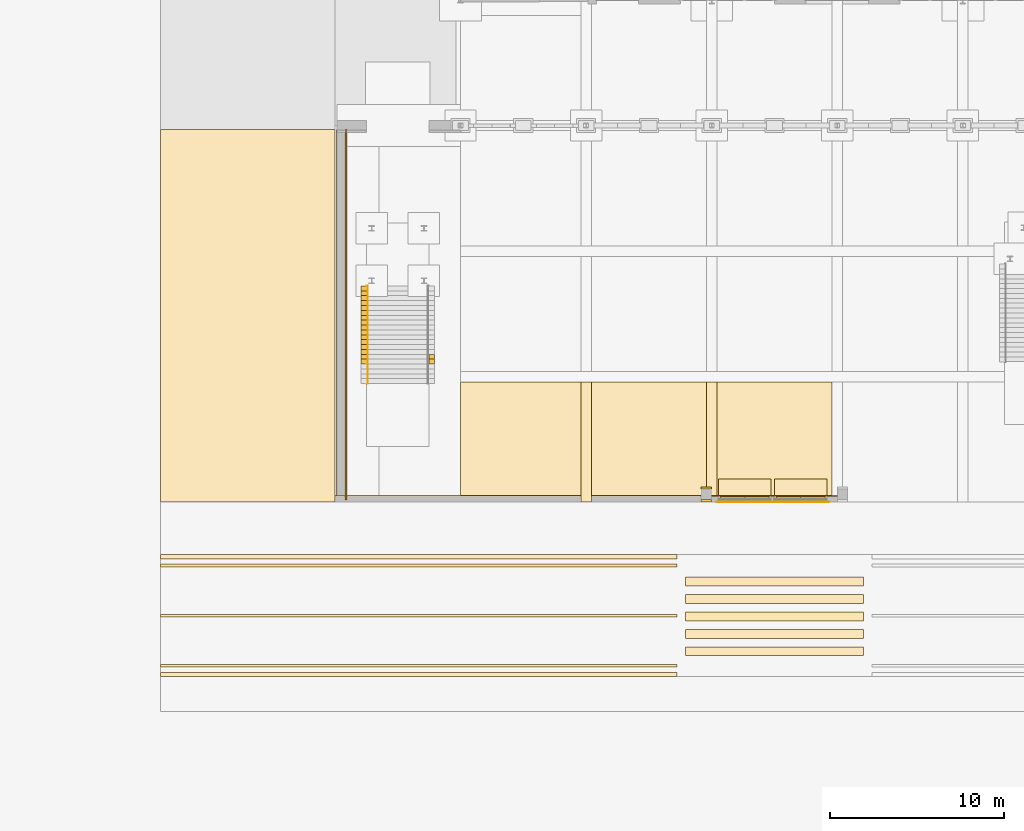
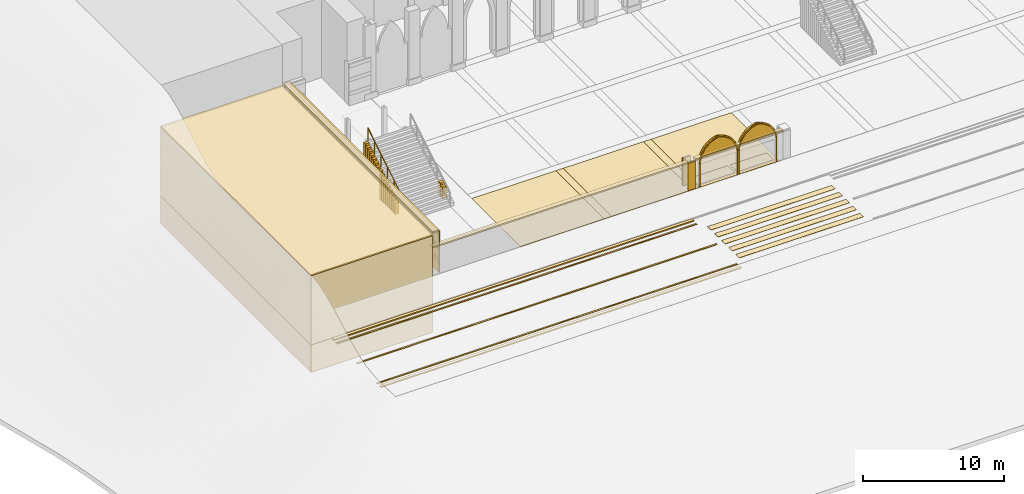
# One storey, part 115 of 148: 54 coverings, 1 railing.
"""IFC4 building model written with IfcOpenShell, lengths in metres."""

import ifcopenshell
import ifcopenshell.guid

model = None  # the IFC model being written
_history = None  # IfcOwnerHistory: only IFC2X3 demands one
_inside = {}  # id of a spatial element -> (the spatial element, [elements in it])
_under = {}  # id of a project, library or spatial element -> (it, [spatial elements below it])
_declared = {}  # id of a project -> (the project, [libraries it declares])
_typed = {}  # id of a type object -> (the type object, [elements of that type])
_made_of = {}  # id of a material, layer set ... -> (it, [elements and type objects made of it])


def new_model(schema):
    """Start an empty IFC model of exactly this schema.

    Asked for "IFC4X3", IfcOpenShell would pick the latest addendum, in which some entities
    have other attributes; the version numbers below select the first issue.
    IFC2X3 requires an IfcOwnerHistory on every rooted entity: one is made here for all.
    """
    global model, _history
    if schema == "IFC4X3":
        model = ifcopenshell.file(schema_version=(4, 3, 0, 0))
    else:
        model = ifcopenshell.file(schema=schema)
    _inside.clear()
    _under.clear()
    _declared.clear()
    _typed.clear()
    _made_of.clear()
    _history = None
    if model.schema == "IFC2X3":
        org = make("IfcOrganization", Name="unknown")
        user = make(
            "IfcPersonAndOrganization",
            ThePerson=make("IfcPerson", FamilyName="unknown"),
            TheOrganization=org,
        )
        app = make(
            "IfcApplication",
            ApplicationDeveloper=org,
            Version="unknown",
            ApplicationFullName="unknown",
            ApplicationIdentifier="unknown",
        )
        _history = make(
            "IfcOwnerHistory",
            OwningUser=user,
            OwningApplication=app,
            ChangeAction="ADDED",
            CreationDate=0,
        )
    return model


def make(cls, **values):
    """One entity of the class cls with the attributes given. An attribute that is None is left unset."""
    return model.create_entity(
        cls, **{name: value for name, value in values.items() if value is not None}
    )


def rooted(cls, **values):
    """An entity with a GlobalId (a new one), such as an element, a storey or a relation."""
    return make(cls, GlobalId=ifcopenshell.guid.new(), OwnerHistory=_history, **values)


def si_unit(unit_type, name, prefix=None):
    """IfcSIUnit, for example si_unit("LENGTHUNIT", "METRE", prefix="MILLI")."""
    return make("IfcSIUnit", UnitType=unit_type, Prefix=prefix, Name=name)


def assignment(units):
    """IfcUnitAssignment: the units of a project."""
    return None if units is None else make("IfcUnitAssignment", Units=units)


def point(xyz):
    """IfcCartesianPoint."""
    return None if xyz is None else make("IfcCartesianPoint", Coordinates=xyz)


def direction(xyz):
    """IfcDirection."""
    return None if xyz is None else make("IfcDirection", DirectionRatios=xyz)


def frame(location, z_axis=None, x_axis=None):
    """IfcAxis2Placement3D, a coordinate frame: its origin and axes. An axis left out is left unset."""
    return make(
        "IfcAxis2Placement3D",
        Location=point(location),
        Axis=direction(z_axis),
        RefDirection=direction(x_axis),
    )


def frame_2d(location, x_axis=None):
    """IfcAxis2Placement2D, a coordinate frame in the plane: its origin and x axis."""
    return make(
        "IfcAxis2Placement2D", Location=point(location), RefDirection=direction(x_axis)
    )


def origin():
    """The frame at (0, 0, 0) with its axes left unset."""
    return frame((0.0, 0.0, 0.0))


def origin_2d():
    """The frame at (0, 0) in the plane with its x axis left unset."""
    return frame_2d((0.0, 0.0))


def place(relative_to, where):
    """IfcLocalPlacement: puts the frame where relative to a parent placement (None: the world)."""
    return make(
        "IfcLocalPlacement", PlacementRelTo=relative_to, RelativePlacement=where
    )


def context(
    kind, dimensions, precision=None, world=None, true_north=None, identifier=None
):
    """IfcGeometricRepresentationContext, for example the 3D "Model" context."""
    return make(
        "IfcGeometricRepresentationContext",
        ContextIdentifier=identifier,
        ContextType=kind,
        CoordinateSpaceDimension=dimensions,
        Precision=precision,
        WorldCoordinateSystem=world,
        TrueNorth=true_north,
    )


def subcontext(parent, identifier, kind, view, scale=None):
    """IfcGeometricRepresentationSubContext, for example "Body" below "Model"."""
    return make(
        "IfcGeometricRepresentationSubContext",
        ContextIdentifier=identifier,
        ContextType=kind,
        ParentContext=parent,
        TargetScale=scale,
        TargetView=view,
    )


def project(units=None, contexts=None):
    """IfcProject with its units and contexts."""
    return rooted(
        "IfcProject",
        Name="project",
        RepresentationContexts=contexts,
        UnitsInContext=assignment(units),
    )


def spatial(cls, under=None, at=None, **own):
    """A site, building, storey or space (cls), placed at a placement, below another one or the project."""
    s = rooted(cls, ObjectPlacement=at, **own)
    if under is not None:
        _under.setdefault(under.id(), (under, []))[1].append(s)
    return s


def polyline(points):
    """IfcPolyline through the points."""
    return make("IfcPolyline", Points=[point(p) for p in points])


def profile(cls, at=None, kind="AREA", **sizes):
    """A parametric profile (cls). Its sizes go by their IFC names, for example OverallWidth=200.0."""
    return make(cls, ProfileType=kind, Position=at, **sizes)


def rectangle(**sizes):
    """IfcRectangleProfileDef."""
    return profile("IfcRectangleProfileDef", **sizes)


def circle(**sizes):
    """IfcCircleProfileDef."""
    return profile("IfcCircleProfileDef", **sizes)


def outline(outer, holes=None, kind="AREA"):
    """IfcArbitraryClosedProfileDef: a profile drawn as a closed curve; with holes, ...WithVoids."""
    if holes is None:
        return make("IfcArbitraryClosedProfileDef", ProfileType=kind, OuterCurve=outer)
    return make(
        "IfcArbitraryProfileDefWithVoids",
        ProfileType=kind,
        OuterCurve=outer,
        InnerCurves=holes,
    )


def extrude(swept, where, along, depth):
    """IfcExtrudedAreaSolid: the profile swept, set in the frame where, extruded along a direction by depth."""
    return make(
        "IfcExtrudedAreaSolid",
        SweptArea=swept,
        Position=where,
        ExtrudedDirection=direction(along),
        Depth=depth,
    )


def shape(context_of_items, identifier, shape_type, items):
    """IfcShapeRepresentation: the items that make up one representation, for example the "Body"."""
    return make(
        "IfcShapeRepresentation",
        ContextOfItems=context_of_items,
        RepresentationIdentifier=identifier,
        RepresentationType=shape_type,
        Items=items,
    )


def material(Name=None, Category=None):
    """IfcMaterial."""
    return make("IfcMaterial", Name=Name, Category=Category)


def layer(
    of_material, thickness, ventilated=None, Name=None, Category=None, Priority=None
):
    """IfcMaterialLayer: one layer of a wall or slab, of a material (None: an air gap)."""
    return make(
        "IfcMaterialLayer",
        Material=of_material,
        LayerThickness=thickness,
        IsVentilated=ventilated,
        Name=Name,
        Category=Category,
        Priority=Priority,
    )


def layer_set(layers, Name=None):
    """IfcMaterialLayerSet."""
    return make("IfcMaterialLayerSet", MaterialLayers=layers, LayerSetName=Name)


def made_of(thing, what):
    """Note that an element or type object is made of a material, layer set ...; save() writes the relation."""
    if what is not None:
        _made_of.setdefault(what.id(), (what, []))[1].append(thing)
    return thing


def type_object(cls, material=None, **own):
    """A type object (cls), such as IfcWallType, which elements share."""
    return made_of(rooted(cls, **own), material)


def element(
    cls,
    number,
    at=None,
    inside=None,
    cuts=None,
    type_object=None,
    material=None,
    context=None,
    identifier="Body",
    shape_type=None,
    held_by="IfcProductDefinitionShape",
    body=None,
    shapes=None,
    **own,
):
    """One element of the class cls, such as IfcWall. Its Tag is "e" and its number.

    at: its placement. inside: the storey or other place that contains it. cuts: it is an
    opening in that element (IfcRelVoidsElement). A single representation is given by context,
    identifier, shape_type and body (its items); several are given by shapes. held_by: the class
    of the entity that holds the representations. save() writes the other relations.
    """
    e = rooted(cls, Tag="e%d" % number, ObjectPlacement=at, **own)
    if body is not None:
        shapes = [shape(context, identifier, shape_type, body)]
    if shapes is not None:
        e.Representation = make(held_by, Representations=shapes)
    if inside is not None:
        _inside.setdefault(inside.id(), (inside, []))[1].append(e)
    if cuts is not None:
        rooted(
            "IfcRelVoidsElement", RelatingBuildingElement=cuts, RelatedOpeningElement=e
        )
    if type_object is not None:
        _typed.setdefault(type_object.id(), (type_object, []))[1].append(e)
    return made_of(e, material)


def aggregate(whole, parts):
    """IfcRelAggregates: a whole, such as a stair, and the parts it consists of."""
    return rooted("IfcRelAggregates", RelatingObject=whole, RelatedObjects=parts)


def save(model, path):
    """Write the relations noted so far, then the file.

    IfcRelAggregates (storeys below a building ...), IfcRelContainedInSpatialStructure (elements
    in a storey), IfcRelDefinesByType, IfcRelAssociatesMaterial and IfcRelDeclares: one each for
    every whole, place, type object, material and project.
    """
    for whole, parts in _under.values():
        aggregate(whole, parts)
    for where, things in _inside.values():
        rooted(
            "IfcRelContainedInSpatialStructure",
            RelatedElements=things,
            RelatingStructure=where,
        )
    for kind, things in _typed.values():
        rooted("IfcRelDefinesByType", RelatedObjects=things, RelatingType=kind)
    for what, things in _made_of.values():
        rooted("IfcRelAssociatesMaterial", RelatedObjects=things, RelatingMaterial=what)
    for by, libraries in _declared.values():
        rooted("IfcRelDeclares", RelatingContext=by, RelatedDefinitions=libraries)
    model.write(path)


model = new_model("IFC4")

# Units and contexts
model_context = context("Model", 3, precision=1e-05, world=origin(), true_north=direction((0.0, 1.0)))
body_context = subcontext(model_context, "Body", "Model", "MODEL_VIEW")
ifc_project = project(units=[si_unit("LENGTHUNIT", "METRE"), si_unit("AREAUNIT", "SQUARE_METRE"), si_unit("VOLUMEUNIT", "CUBIC_METRE"), si_unit("PLANEANGLEUNIT", "RADIAN"), si_unit("MASSUNIT", "GRAM", prefix="KILO")], contexts=[model_context])

# Site, building, storey
site_placement = place(None, origin())
site = spatial("IfcSite", under=ifc_project, at=site_placement, CompositionType="ELEMENT")
building_placement = place(site_placement, origin())
building = spatial("IfcBuilding", under=site, at=building_placement, Name="Kupolbacken Congress Centre", CompositionType="ELEMENT")
storey_placement = place(building_placement, origin())
storey = spatial("IfcBuildingStorey", under=building, at=storey_placement, Name="L00", CompositionType="ELEMENT", Elevation=0.0)

# Coverings
ifc_material_1 = material(Name="Limestone cladding", Category="masonry")
ifc_layer_1 = layer(ifc_material_1, 0.1201171875)
ifc_layer_set_1 = layer_set([ifc_layer_1], Name="Limestone cladding")
covering_type_1 = type_object("IfcCoveringType", Name="CV1 limestone cladding band 120", PredefinedType="CLADDING", material=ifc_layer_set_1)
covering_1_placement = place(storey_placement, origin())
element("IfcCovering", 1, at=covering_1_placement, inside=storey, type_object=covering_type_1, Name="Gate pier limestone facing", PredefinedType="CLADDING", context=body_context, shape_type="SweptSolid", body=[
    extrude(outline(polyline([(21.0, 0.02490234375), (21.0, 0.14501953125), (21.60009765625, 0.14501953125), (21.60009765625, 0.02490234375), (21.0, 0.02490234375)])), origin(), (0.0, 0.0, 1.0), 2.39990234375),
])
covering_2_placement = place(storey_placement, origin())
element("IfcCovering", 2, at=covering_2_placement, inside=storey, type_object=covering_type_1, Name="Gate pier limestone facing", PredefinedType="CLADDING", context=body_context, shape_type="SweptSolid", body=[
    extrude(outline(polyline([(21.0, 0.7451171875), (21.0, 0.864990234375), (21.60009765625, 0.864990234375), (21.60009765625, 0.7451171875), (21.0, 0.7451171875)])), origin(), (0.0, 0.0, 1.0), 2.39990234375),
])
covering_3_placement = place(storey_placement, frame((0.0, 0.0, 3.60009765625)))
element("IfcCovering", 3, at=covering_3_placement, inside=storey, type_object=covering_type_1, Name="Limestone coping on retaining wall", PredefinedType="CLADDING", context=body_context, shape_type="SweptSolid", body=[
    extrude(outline(polyline([(0.6298828125, 0.1298828125), (0.080078125, 0.1298828125), (0.080078125, 21.375), (0.6298828125, 21.375), (0.6298828125, 0.1298828125)])), origin(), (0.0, 0.0, 1.0), 0.119873046875),
])
covering_4_placement = place(storey_placement, frame((0.0, 0.0, 2.39990234375)))
element("IfcCovering", 4, at=covering_4_placement, inside=storey, type_object=covering_type_1, Name="Limestone coping on boundary wall", PredefinedType="CLADDING", context=body_context, shape_type="SweptSolid", body=[
    extrude(outline(polyline([(0.0009765625, 0.375), (21.0, 0.375), (21.0, 0.0009765625), (0.0009765625, 0.0009765625), (0.0009765625, 0.375)])), origin(), (0.0, 0.0, 1.0), 0.1201171875),
])
covering_5_placement = place(storey_placement, frame((0.0, 0.0, 2.39990234375)))
element("IfcCovering", 5, at=covering_5_placement, inside=storey, type_object=covering_type_1, Name="Limestone coping on boundary wall", PredefinedType="CLADDING", context=body_context, shape_type="SweptSolid", body=[
    extrude(outline(polyline([(21.60009765625, 0.375), (28.800048828125, 0.375), (28.800048828125, 0.0009765625), (21.60009765625, 0.0009765625), (21.60009765625, 0.375)])), origin(), (0.0, 0.0, 1.0), 0.1201171875),
])
covering_6_placement = place(storey_placement, frame((0.0, 0.0, 0.89990234375)))
element("IfcCovering", 6, at=covering_6_placement, inside=storey, type_object=covering_type_1, Name="Retaining wall facing, limestone course", PredefinedType="CLADDING", context=body_context, shape_type="SweptSolid", body=[
    extrude(outline(polyline([(0.699951171875, 0.1298828125), (0.580078125, 0.1298828125), (0.580078125, 21.375), (0.699951171875, 21.375), (0.699951171875, 0.1298828125)])), origin(), (0.0, 0.0, 1.0), 0.300048828125),
])
covering_7_placement = place(storey_placement, frame((0.0, 0.0, 2.10009765625)))
element("IfcCovering", 7, at=covering_7_placement, inside=storey, type_object=covering_type_1, Name="Retaining wall facing, limestone course", PredefinedType="CLADDING", context=body_context, shape_type="SweptSolid", body=[
    extrude(outline(polyline([(0.699951171875, 0.1298828125), (0.580078125, 0.1298828125), (0.580078125, 21.375), (0.699951171875, 21.375), (0.699951171875, 0.1298828125)])), origin(), (0.0, 0.0, 1.0), 0.2998046875),
])
covering_8_placement = place(storey_placement, frame((0.0, 0.0, 3.300048828125)))
element("IfcCovering", 8, at=covering_8_placement, inside=storey, type_object=covering_type_1, Name="Retaining wall facing, limestone course", PredefinedType="CLADDING", context=body_context, shape_type="SweptSolid", body=[
    extrude(outline(polyline([(0.699951171875, 0.1298828125), (0.580078125, 0.1298828125), (0.580078125, 21.375), (0.699951171875, 21.375), (0.699951171875, 0.1298828125)])), origin(), (0.0, 0.0, 1.0), 0.300048828125),
])
covering_9_placement = place(storey_placement, origin())
element("IfcCovering", 9, at=covering_9_placement, inside=storey, type_object=covering_type_1, Name="Stair cheek wall", PredefinedType="CLADDING", context=body_context, shape_type="SweptSolid", body=[
    extrude(outline(polyline([(5.39990234375, 7.919921875), (5.39990234375, 8.199951171875), (5.699951171875, 8.199951171875), (5.699951171875, 7.919921875), (5.39990234375, 7.919921875)])), origin(), (0.0, 0.0, 1.0), 1.007080078125),
])
covering_10_placement = place(storey_placement, origin())
element("IfcCovering", 10, at=covering_10_placement, inside=storey, type_object=covering_type_1, Name="Stair cheek wall", PredefinedType="CLADDING", context=body_context, shape_type="SweptSolid", body=[
    extrude(outline(polyline([(5.39990234375, 8.199951171875), (5.39990234375, 8.47998046875), (5.699951171875, 8.47998046875), (5.699951171875, 8.199951171875), (5.39990234375, 8.199951171875)])), origin(), (0.0, 0.0, 1.0), 1.178466796875),
])
covering_11_placement = place(storey_placement, origin())
element("IfcCovering", 11, at=covering_11_placement, inside=storey, type_object=covering_type_1, Name="Stair cheek wall", PredefinedType="CLADDING", context=body_context, shape_type="SweptSolid", body=[
    extrude(outline(polyline([(1.800048828125, 7.919921875), (1.800048828125, 8.199951171875), (1.5, 8.199951171875), (1.5, 7.919921875), (1.800048828125, 7.919921875)])), origin(), (0.0, 0.0, 1.0), 1.007080078125),
])
covering_12_placement = place(storey_placement, origin())
element("IfcCovering", 12, at=covering_12_placement, inside=storey, type_object=covering_type_1, Name="Stair cheek wall", PredefinedType="CLADDING", context=body_context, shape_type="SweptSolid", body=[
    extrude(outline(polyline([(1.800048828125, 8.199951171875), (1.800048828125, 8.47998046875), (1.5, 8.47998046875), (1.5, 8.199951171875), (1.800048828125, 8.199951171875)])), origin(), (0.0, 0.0, 1.0), 1.178466796875),
])
covering_13_placement = place(storey_placement, origin())
element("IfcCovering", 13, at=covering_13_placement, inside=storey, type_object=covering_type_1, Name="Stair cheek wall", PredefinedType="CLADDING", context=body_context, shape_type="SweptSolid", body=[
    extrude(outline(polyline([(1.800048828125, 8.47998046875), (1.800048828125, 8.760009765625), (1.5, 8.760009765625), (1.5, 8.47998046875), (1.800048828125, 8.47998046875)])), origin(), (0.0, 0.0, 1.0), 1.349853515625),
])
covering_14_placement = place(storey_placement, origin())
element("IfcCovering", 14, at=covering_14_placement, inside=storey, type_object=covering_type_1, Name="Stair cheek wall", PredefinedType="CLADDING", context=body_context, shape_type="SweptSolid", body=[
    extrude(outline(polyline([(1.800048828125, 8.760009765625), (1.800048828125, 9.0400390625), (1.5, 9.0400390625), (1.5, 8.760009765625), (1.800048828125, 8.760009765625)])), origin(), (0.0, 0.0, 1.0), 1.521240234375),
])
covering_15_placement = place(storey_placement, origin())
element("IfcCovering", 15, at=covering_15_placement, inside=storey, type_object=covering_type_1, Name="Stair cheek wall", PredefinedType="CLADDING", context=body_context, shape_type="SweptSolid", body=[
    extrude(outline(polyline([(1.800048828125, 9.0400390625), (1.800048828125, 9.320068359375), (1.5, 9.320068359375), (1.5, 9.0400390625), (1.800048828125, 9.0400390625)])), origin(), (0.0, 0.0, 1.0), 1.692626953125),
])
covering_16_placement = place(storey_placement, origin())
element("IfcCovering", 16, at=covering_16_placement, inside=storey, type_object=covering_type_1, Name="Stair cheek wall", PredefinedType="CLADDING", context=body_context, shape_type="SweptSolid", body=[
    extrude(outline(polyline([(1.800048828125, 9.320068359375), (1.800048828125, 9.60009765625), (1.5, 9.60009765625), (1.5, 9.320068359375), (1.800048828125, 9.320068359375)])), origin(), (0.0, 0.0, 1.0), 1.864013671875),
])
covering_17_placement = place(storey_placement, origin())
element("IfcCovering", 17, at=covering_17_placement, inside=storey, type_object=covering_type_1, Name="Stair cheek wall", PredefinedType="CLADDING", context=body_context, shape_type="SweptSolid", body=[
    extrude(outline(polyline([(1.800048828125, 9.60009765625), (1.800048828125, 9.8798828125), (1.5, 9.8798828125), (1.5, 9.60009765625), (1.800048828125, 9.60009765625)])), origin(), (0.0, 0.0, 1.0), 2.035400390625),
])
covering_18_placement = place(storey_placement, origin())
element("IfcCovering", 18, at=covering_18_placement, inside=storey, type_object=covering_type_1, Name="Stair cheek wall", PredefinedType="CLADDING", context=body_context, shape_type="SweptSolid", body=[
    extrude(outline(polyline([(1.800048828125, 9.8798828125), (1.800048828125, 10.159912109375), (1.5, 10.159912109375), (1.5, 9.8798828125), (1.800048828125, 9.8798828125)])), origin(), (0.0, 0.0, 1.0), 2.206787109375),
])
covering_19_placement = place(storey_placement, origin())
element("IfcCovering", 19, at=covering_19_placement, inside=storey, type_object=covering_type_1, Name="Stair cheek wall", PredefinedType="CLADDING", context=body_context, shape_type="SweptSolid", body=[
    extrude(outline(polyline([(1.800048828125, 10.159912109375), (1.800048828125, 10.43994140625), (1.5, 10.43994140625), (1.5, 10.159912109375), (1.800048828125, 10.159912109375)])), origin(), (0.0, 0.0, 1.0), 2.378173828125),
])
covering_20_placement = place(storey_placement, origin())
element("IfcCovering", 20, at=covering_20_placement, inside=storey, type_object=covering_type_1, Name="Stair cheek wall", PredefinedType="CLADDING", context=body_context, shape_type="SweptSolid", body=[
    extrude(outline(polyline([(1.800048828125, 10.43994140625), (1.800048828125, 10.719970703125), (1.5, 10.719970703125), (1.5, 10.43994140625), (1.800048828125, 10.43994140625)])), origin(), (0.0, 0.0, 1.0), 2.549560546875),
])
covering_21_placement = place(storey_placement, origin())
element("IfcCovering", 21, at=covering_21_placement, inside=storey, type_object=covering_type_1, Name="Stair cheek wall", PredefinedType="CLADDING", context=body_context, shape_type="SweptSolid", body=[
    extrude(outline(polyline([(1.800048828125, 10.719970703125), (1.800048828125, 11.0), (1.5, 11.0), (1.5, 10.719970703125), (1.800048828125, 10.719970703125)])), origin(), (0.0, 0.0, 1.0), 2.720947265625),
])
covering_22_placement = place(storey_placement, origin())
element("IfcCovering", 22, at=covering_22_placement, inside=storey, type_object=covering_type_1, Name="Stair cheek wall", PredefinedType="CLADDING", context=body_context, shape_type="SweptSolid", body=[
    extrude(outline(polyline([(1.800048828125, 11.0), (1.800048828125, 11.280029296875), (1.5, 11.280029296875), (1.5, 11.0), (1.800048828125, 11.0)])), origin(), (0.0, 0.0, 1.0), 2.892333984375),
])
covering_23_placement = place(storey_placement, origin())
element("IfcCovering", 23, at=covering_23_placement, inside=storey, type_object=covering_type_1, Name="Stair cheek wall", PredefinedType="CLADDING", context=body_context, shape_type="SweptSolid", body=[
    extrude(outline(polyline([(1.800048828125, 11.280029296875), (1.800048828125, 11.56005859375), (1.5, 11.56005859375), (1.5, 11.280029296875), (1.800048828125, 11.280029296875)])), origin(), (0.0, 0.0, 1.0), 3.063720703125),
])
covering_24_placement = place(storey_placement, origin())
element("IfcCovering", 24, at=covering_24_placement, inside=storey, type_object=covering_type_1, Name="Stair cheek wall", PredefinedType="CLADDING", context=body_context, shape_type="SweptSolid", body=[
    extrude(outline(polyline([(1.800048828125, 11.56005859375), (1.800048828125, 11.840087890625), (1.5, 11.840087890625), (1.5, 11.56005859375), (1.800048828125, 11.56005859375)])), origin(), (0.0, 0.0, 1.0), 3.235107421875),
])
covering_25_placement = place(storey_placement, origin())
element("IfcCovering", 25, at=covering_25_placement, inside=storey, type_object=covering_type_1, Name="Stair cheek wall", PredefinedType="CLADDING", context=body_context, shape_type="SweptSolid", body=[
    extrude(outline(polyline([(1.800048828125, 11.840087890625), (1.800048828125, 12.1201171875), (1.5, 12.1201171875), (1.5, 11.840087890625), (1.800048828125, 11.840087890625)])), origin(), (0.0, 0.0, 1.0), 3.406494140625),
])
covering_26_placement = place(storey_placement, origin())
element("IfcCovering", 26, at=covering_26_placement, inside=storey, type_object=covering_type_1, Name="Stair cheek wall", PredefinedType="CLADDING", context=body_context, shape_type="SweptSolid", body=[
    extrude(outline(polyline([(1.800048828125, 12.1201171875), (1.800048828125, 12.39990234375), (1.5, 12.39990234375), (1.5, 12.1201171875), (1.800048828125, 12.1201171875)])), origin(), (0.0, 0.0, 1.0), 3.577880859375),
])
covering_27_placement = place(storey_placement, frame((25.199951171875, 0.175048828125, 2.39990234375), z_axis=(0.0, 0.0, 1.0), x_axis=(1.0, 0.0, 0.0)))
element("IfcCovering", 27, at=covering_27_placement, inside=storey, type_object=covering_type_1, Name="E/portal/CV1/cap", PredefinedType="CLADDING", context=body_context, shape_type="SweptSolid", body=[
    extrude(rectangle(XDim=7.199951171875, YDim=0.340087890625, at=origin_2d()), origin(), (0.0, 0.0, 1.0), 0.199951171875),
])
ifc_material_2 = material(Name="Brick cladding", Category="masonry")
ifc_layer_2 = layer(ifc_material_2, 0.10791015625)
ifc_layer_set_2 = layer_set([ifc_layer_2], Name="Brick cladding")
covering_type_2 = type_object("IfcCoveringType", Name="CV2 brick cladding band 108", PredefinedType="CLADDING", material=ifc_layer_set_2)
covering_28_placement = place(storey_placement, origin())
element("IfcCovering", 28, at=covering_28_placement, inside=storey, type_object=covering_type_2, Name="Retaining wall facing, brick course", PredefinedType="CLADDING", context=body_context, shape_type="SweptSolid", body=[
    extrude(outline(polyline([(0.68798828125, 0.1298828125), (0.580078125, 0.1298828125), (0.580078125, 21.375), (0.68798828125, 21.375), (0.68798828125, 0.1298828125)])), origin(), (0.0, 0.0, 1.0), 0.89990234375),
])
for number, where, name in (
    (29, (0.0, 0.0, 1.199951171875), "Retaining wall facing, brick course"),
    (30, (0.0, 0.0, 2.39990234375), "Retaining wall facing, brick course"),
):
    element("IfcCovering", number, at=place(storey_placement, frame(where)), inside=storey, type_object=covering_type_2, Name=name, PredefinedType="CLADDING", context=body_context, shape_type="SweptSolid", body=[
        extrude(outline(polyline([(0.68798828125, 0.1298828125), (0.580078125, 0.1298828125), (0.580078125, 21.375), (0.68798828125, 21.375), (0.68798828125, 0.1298828125)])), origin(), (0.0, 0.0, 1.0), 0.900146484375),
    ])
for number, where, z_axis, x_axis, name in (
    (31, (22.0, 0.324951171875, 0.0), (0.0, -1.0, 0.0), (1.0, 0.0, 0.0), "E/portal/CV1/tympanum1"),
    (32, (25.199951171875, 0.324951171875, 0.0), (0.0, -1.0, 0.0), (1.0, 0.0, 0.0), "E/portal/CV1/tympanum2"),
):
    element("IfcCovering", number, at=place(storey_placement, frame(where, z_axis=z_axis, x_axis=x_axis)), inside=storey, type_object=covering_type_2, Name=name, PredefinedType="CLADDING", context=body_context, shape_type="SweptSolid", body=[
        extrude(outline(polyline([(0.142333984375, 2.70849609375), (0.220703125, 2.872314453125), (0.314697265625, 3.02783203125), (0.424072265625, 3.173095703125), (0.547119140625, 3.306884765625), (0.6826171875, 3.427978515625), (0.82958984375, 3.534912109375), (0.986328125, 3.626953125), (1.1513671875, 3.702880859375), (1.3232421875, 3.76220703125), (1.5, 3.80419921875), (1.6767578125, 3.76220703125), (1.8486328125, 3.702880859375), (2.013671875, 3.626953125), (2.17041015625, 3.534912109375), (2.3173828125, 3.427978515625), (2.452880859375, 3.306884765625), (2.575927734375, 3.173095703125), (2.685302734375, 3.02783203125), (2.779296875, 2.872314453125), (2.857666015625, 2.70849609375), (2.89697265625, 2.60009765625), (0.10302734375, 2.60009765625), (0.142333984375, 2.70849609375)])), origin(), (0.0, 0.0, 1.0), 0.300048828125),
    ])
ifc_material_3 = material(Name="Limestone cladding", Category="masonry")
ifc_layer_3 = layer(ifc_material_3, 0.14990234375)
ifc_layer_set_3 = layer_set([ifc_layer_3], Name="Limestone cladding")
covering_type_3 = type_object("IfcCoveringType", Name="CV4 limestone blind arch frame 150", PredefinedType="CLADDING", material=ifc_layer_set_3)
covering_29_placement = place(storey_placement, frame((21.89990234375, 0.02490234375, 0.0), z_axis=(0.0, -1.0, 0.0), x_axis=(1.0, 0.0, 0.0)))
element("IfcCovering", 33, at=covering_29_placement, inside=storey, type_object=covering_type_3, Name="E/portal/CV1/arch1", PredefinedType="CLADDING", context=body_context, shape_type="SweptSolid", body=[
    extrude(outline(polyline([(0.0, 0.0), (0.0, 2.0), (0.009521484375, 2.196533203125), (0.0380859375, 2.39111328125), (0.085205078125, 2.582275390625), (0.15087890625, 2.767578125), (0.23388671875, 2.946044921875), (0.333984375, 3.115478515625), (0.44970703125, 3.2744140625), (0.58056640625, 3.42138671875), (0.72509765625, 3.554931640625), (0.881591796875, 3.674072265625), (1.049072265625, 3.77734375), (1.225830078125, 3.864013671875), (1.409912109375, 3.93310546875), (1.60009765625, 3.98388671875), (1.7900390625, 3.93310546875), (1.97412109375, 3.864013671875), (2.15087890625, 3.77734375), (2.318359375, 3.674072265625), (2.47509765625, 3.554931640625), (2.619384765625, 3.42138671875), (2.750244140625, 3.2744140625), (2.8662109375, 3.115478515625), (2.966064453125, 2.946044921875), (3.04931640625, 2.767578125), (3.11474609375, 2.582275390625), (3.162109375, 2.39111328125), (3.1904296875, 2.196533203125), (3.199951171875, 2.0), (3.199951171875, 0.0), (3.10009765625, 0.0), (3.10009765625, 2.0), (3.091064453125, 2.185302734375), (3.064453125, 2.368896484375), (3.020263671875, 2.549072265625), (2.958984375, 2.72412109375), (2.881103515625, 2.892578125), (2.78759765625, 3.052734375), (2.67919921875, 3.203125), (2.556640625, 3.342529296875), (2.42138671875, 3.469482421875), (2.2744140625, 3.582763671875), (2.117431640625, 3.681396484375), (1.95166015625, 3.7646484375), (1.778564453125, 3.83154296875), (1.60009765625, 3.881591796875), (1.42138671875, 3.83154296875), (1.248291015625, 3.7646484375), (1.08251953125, 3.681396484375), (0.925537109375, 3.582763671875), (0.778564453125, 3.469482421875), (0.643310546875, 3.342529296875), (0.52099609375, 3.203125), (0.412353515625, 3.052734375), (0.31884765625, 2.892578125), (0.240966796875, 2.72412109375), (0.1796875, 2.549072265625), (0.135498046875, 2.368896484375), (0.10888671875, 2.185302734375), (0.10009765625, 2.0), (0.10009765625, 0.0), (0.0, 0.0)])), origin(), (0.0, 0.0, 1.0), 0.02001953125),
])
covering_30_placement = place(storey_placement, frame((25.10009765625, 0.02490234375, 0.0), z_axis=(0.0, -1.0, 0.0), x_axis=(1.0, 0.0, 0.0)))
element("IfcCovering", 34, at=covering_30_placement, inside=storey, type_object=covering_type_3, Name="E/portal/CV1/arch2", PredefinedType="CLADDING", context=body_context, shape_type="SweptSolid", body=[
    extrude(outline(polyline([(0.0, 0.0), (0.0, 2.0), (0.009521484375, 2.196533203125), (0.0380859375, 2.39111328125), (0.085205078125, 2.582275390625), (0.15087890625, 2.767578125), (0.23388671875, 2.946044921875), (0.333984375, 3.115478515625), (0.44970703125, 3.2744140625), (0.58056640625, 3.42138671875), (0.72509765625, 3.554931640625), (0.881591796875, 3.674072265625), (1.049072265625, 3.77734375), (1.225830078125, 3.864013671875), (1.409912109375, 3.93310546875), (1.60009765625, 3.98388671875), (1.7900390625, 3.93310546875), (1.97412109375, 3.864013671875), (2.15087890625, 3.77734375), (2.318359375, 3.674072265625), (2.47509765625, 3.554931640625), (2.619384765625, 3.42138671875), (2.750244140625, 3.2744140625), (2.8662109375, 3.115478515625), (2.966064453125, 2.946044921875), (3.04931640625, 2.767578125), (3.11474609375, 2.582275390625), (3.162109375, 2.39111328125), (3.1904296875, 2.196533203125), (3.199951171875, 2.0), (3.199951171875, 0.0), (3.10009765625, 0.0), (3.10009765625, 2.0), (3.091064453125, 2.185302734375), (3.064453125, 2.368896484375), (3.020263671875, 2.549072265625), (2.958984375, 2.72412109375), (2.881103515625, 2.892578125), (2.78759765625, 3.052734375), (2.67919921875, 3.203125), (2.556640625, 3.342529296875), (2.42138671875, 3.469482421875), (2.2744140625, 3.582763671875), (2.117431640625, 3.681396484375), (1.95166015625, 3.7646484375), (1.778564453125, 3.83154296875), (1.60009765625, 3.881591796875), (1.42138671875, 3.83154296875), (1.248291015625, 3.7646484375), (1.08251953125, 3.681396484375), (0.925537109375, 3.582763671875), (0.778564453125, 3.469482421875), (0.643310546875, 3.342529296875), (0.52099609375, 3.203125), (0.412353515625, 3.052734375), (0.31884765625, 2.892578125), (0.240966796875, 2.72412109375), (0.1796875, 2.549072265625), (0.135498046875, 2.368896484375), (0.10888671875, 2.185302734375), (0.10009765625, 2.0), (0.10009765625, 0.0), (0.0, 0.0)])), origin(), (0.0, 0.0, 1.0), 0.02001953125),
])
ifc_material_4 = material(Name="Limestone cladding", Category="masonry")
ifc_layer_4 = layer(ifc_material_4, 0.02001953125)
ifc_layer_set_4 = layer_set([ifc_layer_4], Name="Limestone cladding")
covering_type_4 = type_object("IfcCoveringType", Name="GF1 limestone paving 20", PredefinedType="FLOORING", material=ifc_layer_set_4)
covering_31_placement = place(storey_placement, origin())
element("IfcCovering", 35, at=covering_31_placement, inside=storey, type_object=covering_type_4, Name="Court paving band", PredefinedType="FLOORING", context=body_context, shape_type="SweptSolid", body=[
    extrude(outline(polyline([(14.10009765625, 6.89990234375), (14.699951171875, 6.89990234375), (14.699951171875, 0.00341796875), (14.10009765625, 0.00341796875), (14.10009765625, 6.89990234375)])), origin(), (0.0, 0.0, 1.0), 0.02001953125),
])
covering_32_placement = place(storey_placement, origin())
element("IfcCovering", 36, at=covering_32_placement, inside=storey, type_object=covering_type_4, Name="Court paving band", PredefinedType="FLOORING", context=body_context, shape_type="SweptSolid", body=[
    extrude(outline(polyline([(21.300048828125, 6.89990234375), (21.89990234375, 6.89990234375), (21.89990234375, 0.00341796875), (21.300048828125, 0.00341796875), (21.300048828125, 6.89990234375)])), origin(), (0.0, 0.0, 1.0), 0.02001953125),
])
covering_33_placement = place(storey_placement, frame((0.0, 0.0, -0.14990234375)))
element("IfcCovering", 37, at=covering_33_placement, inside=storey, type_object=covering_type_4, Name="Street edge line", PredefinedType="FLOORING", context=body_context, shape_type="SweptSolid", body=[
    extrude(outline(polyline([(-9.998046875, -9.449951171875), (-9.998046875, -9.300048828125), (19.60009765625, -9.300048828125), (19.60009765625, -9.449951171875), (-9.998046875, -9.449951171875)])), origin(), (0.0, 0.0, 1.0), 0.02001953125),
])
covering_34_placement = place(storey_placement, frame((0.0, 0.0, -0.14990234375)))
element("IfcCovering", 38, at=covering_34_placement, inside=storey, type_object=covering_type_4, Name="Street edge line", PredefinedType="FLOORING", context=body_context, shape_type="SweptSolid", body=[
    extrude(outline(polyline([(-9.998046875, -3.699951171875), (-9.998046875, -3.550048828125), (19.60009765625, -3.550048828125), (19.60009765625, -3.699951171875), (-9.998046875, -3.699951171875)])), origin(), (0.0, 0.0, 1.0), 0.02001953125),
])
covering_35_placement = place(storey_placement, frame((0.0, 0.0, -0.14990234375)))
element("IfcCovering", 39, at=covering_35_placement, inside=storey, type_object=covering_type_4, Name="Street centre line", PredefinedType="FLOORING", context=body_context, shape_type="SweptSolid", body=[
    extrude(outline(polyline([(-9.998046875, -6.574951171875), (-9.998046875, -6.425048828125), (19.60009765625, -6.425048828125), (19.60009765625, -6.574951171875), (-9.998046875, -6.574951171875)])), origin(), (0.0, 0.0, 1.0), 0.02001953125),
])
covering_36_placement = place(storey_placement, frame((0.0, 0.0, -0.14990234375)))
element("IfcCovering", 40, at=covering_36_placement, inside=storey, type_object=covering_type_4, Name="Street crossing marking", PredefinedType="FLOORING", context=body_context, shape_type="SweptSolid", body=[
    extrude(outline(polyline([(20.10009765625, -8.800048828125), (20.10009765625, -8.300048828125), (30.300048828125, -8.300048828125), (30.300048828125, -8.800048828125), (20.10009765625, -8.800048828125)])), origin(), (0.0, 0.0, 1.0), 0.02001953125),
])
covering_37_placement = place(storey_placement, frame((0.0, 0.0, -0.14990234375)))
element("IfcCovering", 41, at=covering_37_placement, inside=storey, type_object=covering_type_4, Name="Street crossing marking", PredefinedType="FLOORING", context=body_context, shape_type="SweptSolid", body=[
    extrude(outline(polyline([(20.10009765625, -7.800048828125), (20.10009765625, -7.300048828125), (30.300048828125, -7.300048828125), (30.300048828125, -7.800048828125), (20.10009765625, -7.800048828125)])), origin(), (0.0, 0.0, 1.0), 0.02001953125),
])
covering_38_placement = place(storey_placement, frame((0.0, 0.0, -0.14990234375)))
element("IfcCovering", 42, at=covering_38_placement, inside=storey, type_object=covering_type_4, Name="Street crossing marking", PredefinedType="FLOORING", context=body_context, shape_type="SweptSolid", body=[
    extrude(outline(polyline([(20.10009765625, -6.300048828125), (30.300048828125, -6.300048828125), (30.300048828125, -6.800048828125), (20.10009765625, -6.800048828125), (20.10009765625, -6.300048828125)])), origin(), (0.0, 0.0, 1.0), 0.02001953125),
])
covering_39_placement = place(storey_placement, frame((0.0, 0.0, -0.14990234375)))
element("IfcCovering", 43, at=covering_39_placement, inside=storey, type_object=covering_type_4, Name="Street crossing marking", PredefinedType="FLOORING", context=body_context, shape_type="SweptSolid", body=[
    extrude(outline(polyline([(20.10009765625, -5.800048828125), (20.10009765625, -5.300048828125), (30.300048828125, -5.300048828125), (30.300048828125, -5.800048828125), (20.10009765625, -5.800048828125)])), origin(), (0.0, 0.0, 1.0), 0.02001953125),
])
covering_40_placement = place(storey_placement, frame((0.0, 0.0, -0.14990234375)))
element("IfcCovering", 44, at=covering_40_placement, inside=storey, type_object=covering_type_4, Name="Street crossing marking", PredefinedType="FLOORING", context=body_context, shape_type="SweptSolid", body=[
    extrude(outline(polyline([(20.10009765625, -4.300048828125), (30.300048828125, -4.300048828125), (30.300048828125, -4.800048828125), (20.10009765625, -4.800048828125), (20.10009765625, -4.300048828125)])), origin(), (0.0, 0.0, 1.0), 0.02001953125),
])
for number, where, z_axis, x_axis, name in (
    (45, (23.5, 0.824951171875, 0.0), (0.0, 0.0, 1.0), (1.0, 0.0, 0.0), "E/portal/CV1/threshold1"),
    (46, (26.699951171875, 0.824951171875, 0.0), (0.0, 0.0, 1.0), (1.0, 0.0, 0.0), "E/portal/CV1/threshold2"),
):
    element("IfcCovering", number, at=place(storey_placement, frame(where, z_axis=z_axis, x_axis=x_axis)), inside=storey, type_object=covering_type_4, Name=name, PredefinedType="FLOORING", context=body_context, shape_type="SweptSolid", body=[
        extrude(rectangle(XDim=3.0, YDim=1.0, at=origin_2d()), origin(), (0.0, 0.0, 1.0), 0.02001953125),
    ])
ifc_material_5 = material(Name="Brick", Category="masonry")
ifc_layer_5 = layer(ifc_material_5, 0.02001953125)
ifc_layer_set_5 = layer_set([ifc_layer_5], Name="Brick")
covering_type_5 = type_object("IfcCoveringType", Name="GF2 brick paving 20", PredefinedType="FLOORING", material=ifc_layer_set_5)
covering_41_placement = place(storey_placement, origin())
element("IfcCovering", 47, at=covering_41_placement, inside=storey, type_object=covering_type_5, Name="Court brick paving", PredefinedType="FLOORING", context=body_context, shape_type="SweptSolid", body=[
    extrude(outline(polyline([(7.202392578125, 6.89990234375), (14.10009765625, 6.89990234375), (14.10009765625, 0.00341796875), (7.202392578125, 0.00341796875), (7.202392578125, 6.89990234375)])), origin(), (0.0, 0.0, 1.0), 0.02001953125),
])
covering_42_placement = place(storey_placement, origin())
element("IfcCovering", 48, at=covering_42_placement, inside=storey, type_object=covering_type_5, Name="Court brick paving", PredefinedType="FLOORING", context=body_context, shape_type="SweptSolid", body=[
    extrude(outline(polyline([(21.89990234375, 0.00341796875), (21.89990234375, 6.89990234375), (28.5, 6.89990234375), (28.5, 0.00341796875), (21.89990234375, 0.00341796875)])), origin(), (0.0, 0.0, 1.0), 0.02001953125),
])
covering_43_placement = place(storey_placement, origin())
element("IfcCovering", 49, at=covering_43_placement, inside=storey, type_object=covering_type_5, Name="Court brick paving", PredefinedType="FLOORING", context=body_context, shape_type="SweptSolid", body=[
    extrude(outline(polyline([(14.699951171875, 0.00341796875), (14.699951171875, 6.89990234375), (21.300048828125, 6.89990234375), (21.300048828125, 0.00341796875), (14.699951171875, 0.00341796875)])), origin(), (0.0, 0.0, 1.0), 0.02001953125),
])
ifc_material_6 = material(Name="Grass", Category="soil")
ifc_layer_6 = layer(ifc_material_6, 0.10009765625)
ifc_layer_set_6 = layer_set([ifc_layer_6], Name="Grass")
covering_type_6 = type_object("IfcCoveringType", Name="GR2 grass surface 100", PredefinedType="FLOORING", material=ifc_layer_set_6)
covering_44_placement = place(storey_placement, frame((0.0, 0.0, 3.5)))
element("IfcCovering", 50, at=covering_44_placement, inside=storey, type_object=covering_type_6, Name="Grass, west hill 0", PredefinedType="FLOORING", context=body_context, shape_type="SweptSolid", body=[
    extrude(outline(polyline([(0.0, 0.0), (-10.0, 0.0), (-10.0, 21.375), (0.0, 21.375), (0.0, 0.0)])), origin(), (0.0, 0.0, 1.0), 0.10009765625),
])
ifc_material_7 = material(Name="Granite setts", Category="masonry")
ifc_layer_7 = layer(ifc_material_7, 0.10009765625)
ifc_layer_set_7 = layer_set([ifc_layer_7], Name="Granite setts")
covering_type_7 = type_object("IfcCoveringType", Name="GR3 granite sett paving 100", PredefinedType="FLOORING", material=ifc_layer_set_7)
covering_45_placement = place(storey_placement, frame((0.0, 0.0, -0.14990234375)))
element("IfcCovering", 51, at=covering_45_placement, inside=storey, type_object=covering_type_7, Name="Street granite kerb", PredefinedType="FLOORING", context=body_context, shape_type="SweptSolid", body=[
    extrude(outline(polyline([(-9.998046875, -9.998046875), (-9.998046875, -9.75), (19.60009765625, -9.75), (19.60009765625, -9.998046875), (-9.998046875, -9.998046875)])), origin(), (0.0, 0.0, 1.0), 0.099853515625),
])
covering_46_placement = place(storey_placement, frame((0.0, 0.0, -0.14990234375)))
element("IfcCovering", 52, at=covering_46_placement, inside=storey, type_object=covering_type_7, Name="Street granite kerb", PredefinedType="FLOORING", context=body_context, shape_type="SweptSolid", body=[
    extrude(outline(polyline([(-9.998046875, -3.001953125), (19.60009765625, -3.001953125), (19.60009765625, -3.25), (-9.998046875, -3.25), (-9.998046875, -3.001953125)])), origin(), (0.0, 0.0, 1.0), 0.099853515625),
])
ifc_material_8 = material(Name="Made ground", Category="soil")
ifc_layer_8 = layer(ifc_material_8, 2.39990234375)
ifc_layer_set_8 = layer_set([ifc_layer_8], Name="Made ground")
covering_type_8 = type_object("IfcCoveringType", Name="GR5 earthworks, made ground", PredefinedType="FLOORING", material=ifc_layer_set_8)
covering_47_placement = place(storey_placement, frame((0.0, 0.0, -2.5)))
element("IfcCovering", 53, at=covering_47_placement, inside=storey, type_object=covering_type_8, Name="Earthworks, west hill 0, made ground", PredefinedType="FLOORING", context=body_context, shape_type="SweptSolid", body=[
    extrude(outline(polyline([(0.0, 0.0), (-10.0, 0.0), (-10.0, 21.375), (0.0, 21.375), (0.0, 0.0)])), origin(), (0.0, 0.0, 1.0), 6.0),
])
ifc_material_9 = material(Name="Clay till", Category="soil")
ifc_layer_9 = layer(ifc_material_9, 2.39990234375)
ifc_layer_set_9 = layer_set([ifc_layer_9], Name="Clay till")
covering_type_9 = type_object("IfcCoveringType", Name="GR6 earthworks, clay till", PredefinedType="FLOORING", material=ifc_layer_set_9)
covering_48_placement = place(storey_placement, frame((0.0, 0.0, -4.89990234375)))
element("IfcCovering", 54, at=covering_48_placement, inside=storey, type_object=covering_type_9, Name="Earthworks, west hill 0, clay till", PredefinedType="FLOORING", context=body_context, shape_type="SweptSolid", body=[
    extrude(outline(polyline([(0.0, 0.0), (-10.0, 0.0), (-10.0, 21.375), (0.0, 21.375), (0.0, 0.0)])), origin(), (0.0, 0.0, 1.0), 2.39990234375),
])

# Railing
ifc_material_10 = material(Name="Steel S235", Category="steel")
railing_type = type_object("IfcRailingType", Name="RL2 stair guard with handrail 900 / 1100", PredefinedType="GUARDRAIL", material=ifc_material_10)
railing_placement = place(storey_placement, frame((1.85009765625, 6.800048828125, 0.17138671875)))
element("IfcRailing", 55, at=railing_placement, inside=storey, type_object=railing_type, Name="C/xguard/XS1/XS1-A/W", PredefinedType="GUARDRAIL", context=body_context, shape_type="SweptSolid", body=[
    extrude(circle(Radius=0.02392578125, at=origin_2d()), frame((0.0, 0.0, 1.076171875), z_axis=(0.0, 0.852885433425, 0.522098110944), x_axis=(-1.0, 0.0, 0.0)), (0.0, 0.0, 1.0), 6.565673828125),
    extrude(circle(Radius=0.02099609375, at=origin_2d()), origin(), (0.0, 0.0, 1.0), 1.052001953125),
    extrude(circle(Radius=0.02099609375, at=origin_2d()), frame((0.0, 0.933349609375, 0.5712890625)), (0.0, 0.0, 1.0), 1.052001953125),
    extrude(circle(Radius=0.02099609375, at=origin_2d()), frame((0.0, 1.86669921875, 1.142578125)), (0.0, 0.0, 1.0), 1.052001953125),
    extrude(circle(Radius=0.02099609375, at=origin_2d()), frame((0.0, 2.7998046875, 1.7138671875)), (0.0, 0.0, 1.0), 1.052001953125),
    extrude(circle(Radius=0.02099609375, at=origin_2d()), frame((0.0, 3.733154296875, 2.285400390625)), (0.0, 0.0, 1.0), 1.052001953125),
    extrude(circle(Radius=0.02099609375, at=origin_2d()), frame((0.0, 4.66650390625, 2.856689453125)), (0.0, 0.0, 1.0), 1.052001953125),
    extrude(circle(Radius=0.02099609375, at=origin_2d()), frame((0.0, 5.599853515625, 3.427978515625)), (0.0, 0.0, 1.0), 1.052001953125),
])

save(model, "model.ifc")
